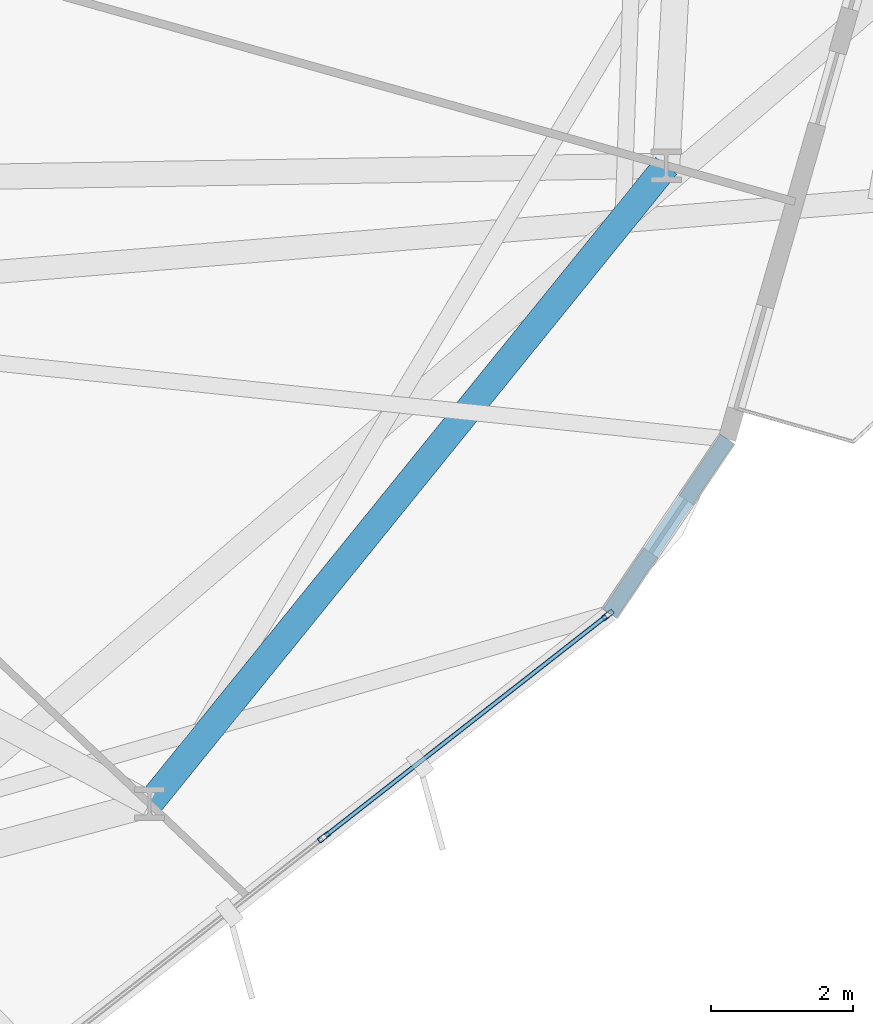
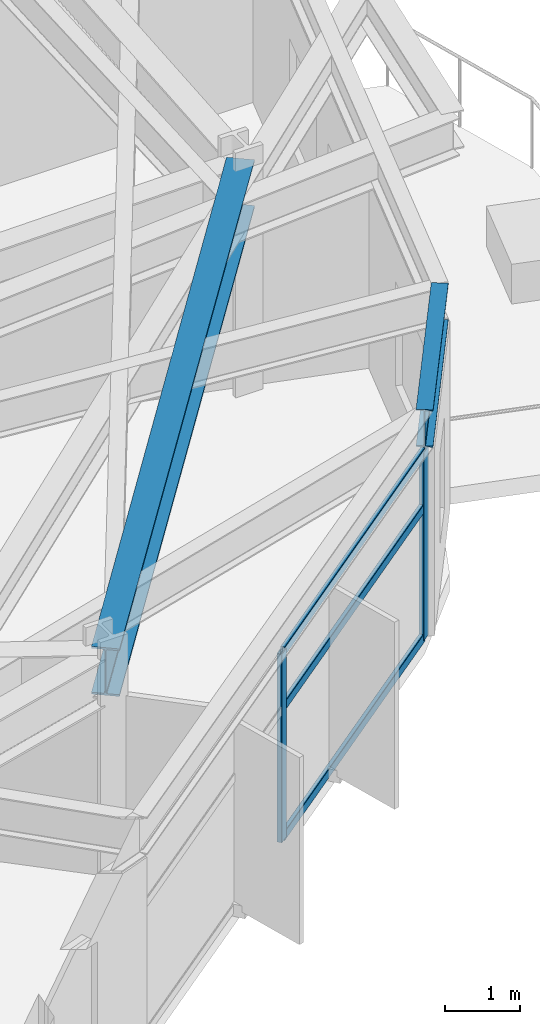
# One storey, part 9 of 21: 5 members, 2 beams, 1 element without a shape of its own.
"""IFC4 building model written with IfcOpenShell, lengths in metres."""

from ifc_helpers import new_model, si_unit, direction, frame, origin, origin_2d, place, context, subcontext, project, spatial, hollow_rectangle, i_section, extrude, material, layer, layer_set, material_profile, profile_set, type_object, element, aggregate, save


model = new_model("IFC4")

# Units and contexts
model_context = context("Model", 3, precision=1e-05, world=origin(), true_north=direction((0.0, 1.0)))
body_context = subcontext(model_context, "Body", "Model", "MODEL_VIEW")
ifc_project = project(units=[si_unit("LENGTHUNIT", "METRE"), si_unit("AREAUNIT", "SQUARE_METRE"), si_unit("VOLUMEUNIT", "CUBIC_METRE"), si_unit("PLANEANGLEUNIT", "RADIAN"), si_unit("MASSUNIT", "GRAM", prefix="KILO")], contexts=[model_context])

# Site, building, storey
site_placement = place(None, origin())
site = spatial("IfcSite", under=ifc_project, at=site_placement, CompositionType="ELEMENT")
building_placement = place(site_placement, origin())
building = spatial("IfcBuilding", under=site, at=building_placement, Name="Soratama Intermodal Tower", CompositionType="ELEMENT")
storey_placement = place(building_placement, frame((0.0, 0.0, 34.60009765625)))
storey = spatial("IfcBuildingStorey", under=building, at=storey_placement, Name="L07", CompositionType="ELEMENT", Elevation=34.60009765625)

# Beams
ifc_material_1 = material(Name="Structural steel ASTM A992 Grade 50", Category="steel")
ifc_material_profile_1 = material_profile(ifc_material_1, i_section(OverallWidth=0.382080078125, OverallDepth=0.779052734375, WebThickness=0.01806640625, FlangeThickness=0.030029296875, FilletRadius=0.01806640625, at=origin_2d()), Name="W30X191")
ifc_profile_set_1 = profile_set([ifc_material_profile_1], Name="Structural steel ASTM A992 Grade 50")
beam_type_1 = type_object("IfcBeamType", Name="BM-RING-W30X191", PredefinedType="BEAM", material=ifc_profile_set_1)
beam_1_placement = place(storey_placement, frame((55.196044921875, 9.300048828125, 3.310302734375), z_axis=(0.629334198857, 0.777134779912, 0.0), x_axis=(-0.777134779912, 0.629334198857, 0.0)))
element("IfcBeam", 1, at=beam_1_placement, inside=storey, type_object=beam_type_1, Name="BM-L07-RING-09", PredefinedType="BEAM", context=body_context, shape_type="SweptSolid", body=[
    extrude(i_section(OverallWidth=0.382080078125, OverallDepth=0.779052734375, WebThickness=0.01806640625, FlangeThickness=0.030029296875, FilletRadius=0.01806640625, at=origin_2d()), origin(), (0.0, 0.0, 1.0), 11.5693359375),
])
ifc_material_2 = material(Name="Structural steel ASTM A992 Grade 50", Category="steel")
ifc_material_profile_2 = material_profile(ifc_material_2, i_section(OverallWidth=0.22900390625, OverallDepth=0.612060546875, WebThickness=0.011962890625, FlangeThickness=0.01953125, FilletRadius=0.012939453125, at=origin_2d()), Name="W24X84")
ifc_profile_set_2 = profile_set([ifc_material_profile_2], Name="Structural steel ASTM A992 Grade 50")
beam_type_2 = type_object("IfcBeamType", Name="BM-SPN-W24X84", PredefinedType="SPANDREL", material=ifc_profile_set_2)
beam_2_placement = place(storey_placement, frame((61.677978515625, 11.97900390625, 3.393798828125), z_axis=(0.558511412004, 0.829496837041, 0.0), x_axis=(-0.829496837041, 0.558511412004, 0.0)))
element("IfcBeam", 2, at=beam_2_placement, inside=storey, type_object=beam_type_2, Name="BS-L07-CRN09", PredefinedType="SPANDREL", context=body_context, shape_type="SweptSolid", body=[
    extrude(i_section(OverallWidth=0.22900390625, OverallDepth=0.612060546875, WebThickness=0.011962890625, FlangeThickness=0.01953125, FilletRadius=0.012939453125, at=origin_2d()), origin(), (0.0, 0.0, 1.0), 2.966796875),
])

# Curtain wall, members
ifc_material_3 = material(Name="Double-glazed aluminium curtain wall", Category="aluminium")
ifc_layer = layer(ifc_material_3, 0.159912109375)
ifc_layer_set = layer_set([ifc_layer], Name="Double-glazed aluminium curtain wall")
curtain_wall_type = type_object("IfcCurtainWallType", Name="CW-SYS-2", PredefinedType="NOTDEFINED", material=ifc_layer_set)
curtain_wall_placement = place(storey_placement, origin())
curtain_wall = element("IfcCurtainWall", 3, at=curtain_wall_placement, inside=storey, type_object=curtain_wall_type, Name="L07 Faceted Curtain Wall F09", PredefinedType="NOTDEFINED")
ifc_material_4 = material(Name="Anodised aluminium AA 6063-T6", Category="aluminium")
ifc_material_profile_3 = material_profile(ifc_material_4, hollow_rectangle(XDim=0.074951171875, YDim=0.179931640625, WallThickness=0.006103515625, InnerFilletRadius=0.006103515625, OuterFilletRadius=0.011962890625, at=origin_2d()), Name="CWM180X75X6")
ifc_profile_set_3 = profile_set([ifc_material_profile_3], Name="Anodised aluminium AA 6063-T6")
member_type_1 = type_object("IfcMemberType", Name="MT-CWM-2", PredefinedType="MULLION", material=ifc_profile_set_3)
member_1_placement = place(storey_placement, frame((57.65185546875, 8.82958984375, 0.0), z_axis=(0.0, 0.0, 1.0), x_axis=(-0.616217526023, 0.787576003076, 0.0)))
member_1 = element("IfcMember", 4, at=member_1_placement, type_object=member_type_1, Name="CW-2 mullion 2", PredefinedType="MULLION", context=body_context, shape_type="SweptSolid", body=[
    extrude(hollow_rectangle(XDim=0.074951171875, YDim=0.179931640625, WallThickness=0.006103515625, InnerFilletRadius=0.006103515625, OuterFilletRadius=0.011962890625, at=origin_2d()), origin(), (0.0, 0.0, 1.0), 3.078857421875),
])
member_2_placement = place(storey_placement, frame((61.65380859375, 11.9609375, 0.0), z_axis=(0.0, 0.0, 1.0), x_axis=(-0.616217526023, 0.787576003076, 0.0)))
member_2 = element("IfcMember", 5, at=member_2_placement, type_object=member_type_1, Name="CW-2 mullion 3", PredefinedType="MULLION", context=body_context, shape_type="SweptSolid", body=[
    extrude(hollow_rectangle(XDim=0.074951171875, YDim=0.179931640625, WallThickness=0.006103515625, InnerFilletRadius=0.006103515625, OuterFilletRadius=0.011962890625, at=origin_2d()), origin(), (0.0, 0.0, 1.0), 3.078857421875),
])
ifc_material_5 = material(Name="Anodised aluminium AA 6063-T6", Category="aluminium")
ifc_material_profile_4 = material_profile(ifc_material_5, hollow_rectangle(XDim=0.06494140625, YDim=0.14990234375, WallThickness=0.0048828125, InnerFilletRadius=0.0048828125, OuterFilletRadius=0.010009765625, at=origin_2d()), Name="CWT150X65X5")
ifc_profile_set_4 = profile_set([ifc_material_profile_4], Name="Anodised aluminium AA 6063-T6")
member_type_2 = type_object("IfcMemberType", Name="TT-CWT-1", PredefinedType="USERDEFINED", material=ifc_profile_set_4)
member_3_placement = place(storey_placement, frame((57.675537109375, 8.84814453125, 0.02978515625), z_axis=(0.787545012436, 0.616257132524, 0.0), x_axis=(-0.616257132524, 0.787545012436, 0.0)))
member_3 = element("IfcMember", 6, at=member_3_placement, type_object=member_type_2, Name="CW-2 transom 2.1", ObjectType="TRANSOM", PredefinedType="USERDEFINED", context=body_context, shape_type="SweptSolid", body=[
    extrude(hollow_rectangle(XDim=0.06494140625, YDim=0.14990234375, WallThickness=0.0048828125, InnerFilletRadius=0.0048828125, OuterFilletRadius=0.010009765625, at=origin_2d()), origin(), (0.0, 0.0, 1.0), 5.021484375),
])
member_4_placement = place(storey_placement, frame((57.675537109375, 8.84814453125, 2.14990234375), z_axis=(0.787545012436, 0.616257132524, 0.0), x_axis=(-0.616257132524, 0.787545012436, 0.0)))
member_4 = element("IfcMember", 7, at=member_4_placement, type_object=member_type_2, Name="CW-2 transom 2.2", ObjectType="TRANSOM", PredefinedType="USERDEFINED", context=body_context, shape_type="SweptSolid", body=[
    extrude(hollow_rectangle(XDim=0.06494140625, YDim=0.14990234375, WallThickness=0.0048828125, InnerFilletRadius=0.0048828125, OuterFilletRadius=0.010009765625, at=origin_2d()), origin(), (0.0, 0.0, 1.0), 5.021484375),
])
member_5_placement = place(storey_placement, frame((57.675537109375, 8.84814453125, 3.048828125), z_axis=(0.787545012436, 0.616257132524, 0.0), x_axis=(-0.616257132524, 0.787545012436, 0.0)))
member_5 = element("IfcMember", 8, at=member_5_placement, type_object=member_type_2, Name="CW-2 transom 2.3", ObjectType="TRANSOM", PredefinedType="USERDEFINED", context=body_context, shape_type="SweptSolid", body=[
    extrude(hollow_rectangle(XDim=0.06494140625, YDim=0.14990234375, WallThickness=0.0048828125, InnerFilletRadius=0.0048828125, OuterFilletRadius=0.010009765625, at=origin_2d()), origin(), (0.0, 0.0, 1.0), 5.021484375),
])
aggregate(curtain_wall, [member_1, member_2, member_3, member_4, member_5])

save(model, "model.ifc")
